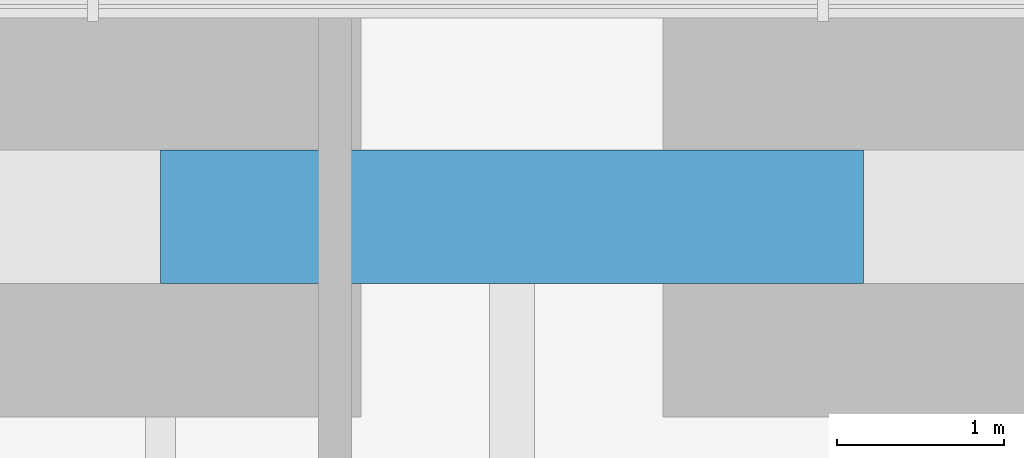
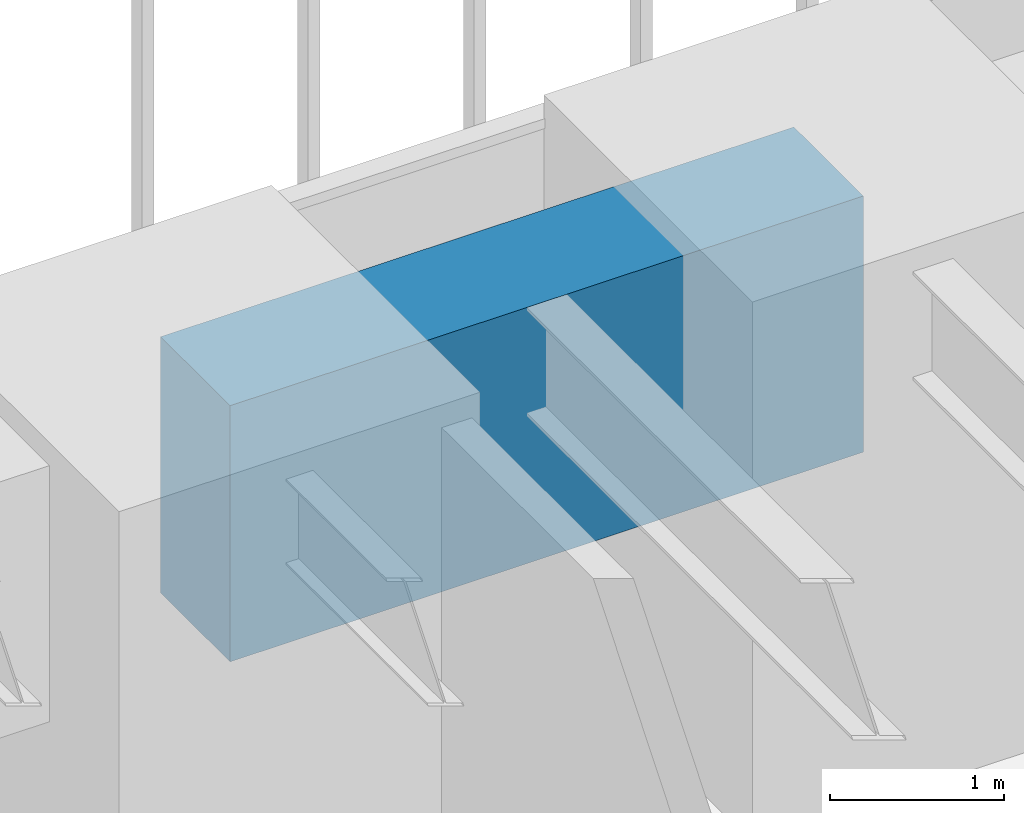
# One storey, part 175 of 256: 1 beam.
"""IFC4 building model written with IfcOpenShell, lengths in metres."""

from ifc_helpers import new_model, si_unit, direction, frame, origin, origin_2d, place, context, subcontext, project, spatial, rectangle, extrude, material, material_profile, profile_set, type_object, element, save


model = new_model("IFC4")

# Units and contexts
model_context = context("Model", 3, precision=1e-05, world=origin(), true_north=direction((0.0, 1.0)))
body_context = subcontext(model_context, "Body", "Model", "MODEL_VIEW")
ifc_project = project(units=[si_unit("LENGTHUNIT", "METRE"), si_unit("AREAUNIT", "SQUARE_METRE"), si_unit("VOLUMEUNIT", "CUBIC_METRE"), si_unit("PLANEANGLEUNIT", "RADIAN"), si_unit("MASSUNIT", "GRAM", prefix="KILO")], contexts=[model_context])

# Site, building, storey
site_placement = place(None, origin())
site = spatial("IfcSite", under=ifc_project, at=site_placement, CompositionType="ELEMENT")
building_placement = place(site_placement, origin())
building = spatial("IfcBuilding", under=site, at=building_placement, Name="Sandreach Pilgrim Tower", CompositionType="ELEMENT")
storey_placement = place(building_placement, frame((0.0, 0.0, 23.0)))
storey = spatial("IfcBuildingStorey", under=building, at=storey_placement, Name="L04", CompositionType="ELEMENT", Elevation=23.0)

# Beam
ifc_material = material(Name="Concrete 10000 psi", Category="concrete")
ifc_material_profile = material_profile(ifc_material, rectangle(XDim=0.800048828125, YDim=1.800048828125, at=origin_2d()), Name="RC800X1800")
ifc_profile_set = profile_set([ifc_material_profile], Name="Concrete 10000 psi")
beam_type = type_object("IfcBeamType", Name="Spandrel beam RC800X1800", PredefinedType="SPANDREL", material=ifc_profile_set)
beam_placement = place(storey_placement, frame((-10.52490234375, 22.688720703125, 2.739990234375), z_axis=(1.0, 0.0, 0.0), x_axis=(0.0, 1.0, 0.0)))
element("IfcBeam", 1, at=beam_placement, inside=storey, type_object=beam_type, Name="BM L04 SP02", PredefinedType="SPANDREL", context=body_context, shape_type="SweptSolid", body=[
    extrude(rectangle(XDim=0.800048828125, YDim=1.800048828125, at=origin_2d()), origin(), (0.0, 0.0, 1.0), 4.2099609375),
])

save(model, "model.ifc")
